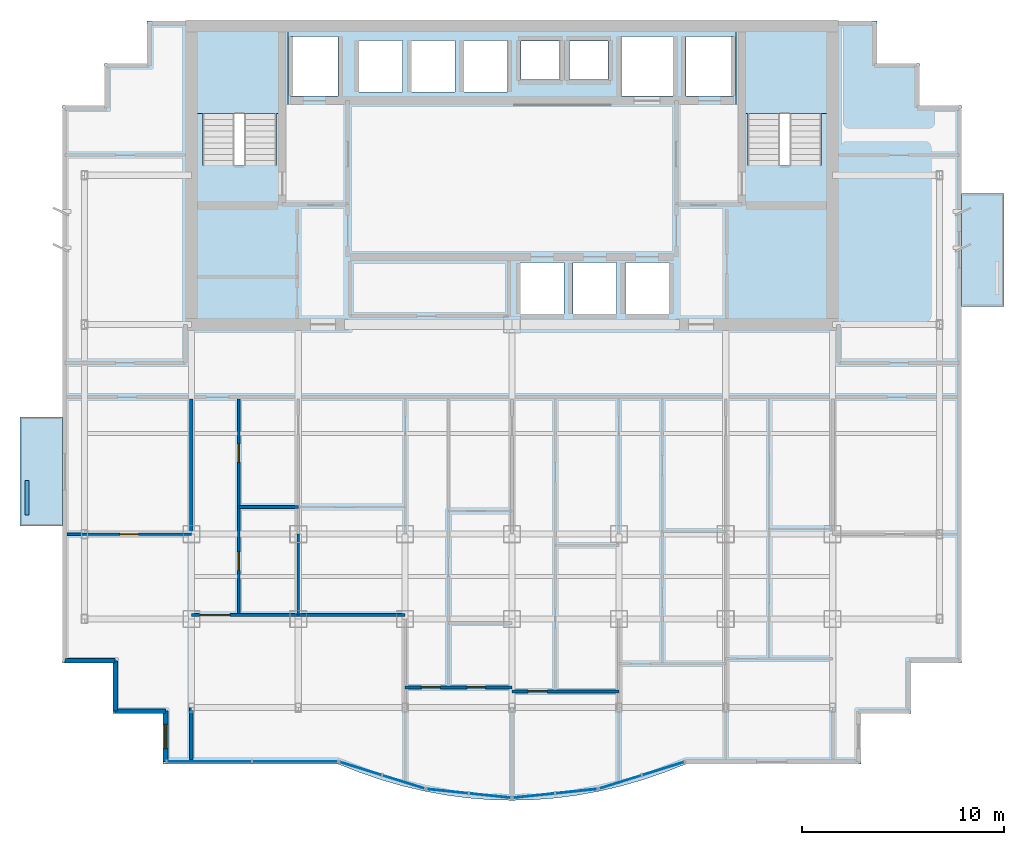
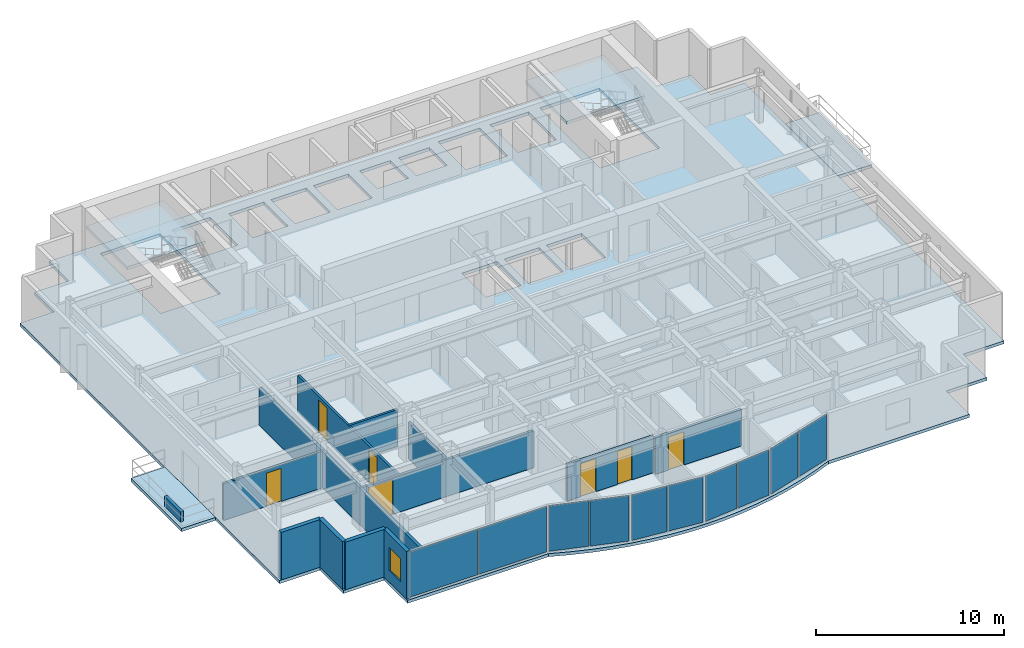
# One storey, part 5 of 11: 13 walls, 10 plates, 7 doors, 5 slabs, 1 window, 8 openings, 7 elements without a shape of their own.
"""IFC4 building model written with IfcOpenShell, lengths in metres."""

from ifc_helpers import new_model, si_unit, direction, frame, frame_2d, origin, origin_2d, place, context, subcontext, project, spatial, polyline, rectangle, outline, extrude, source, transform, mapped, material, layer, layer_set, type_object, element, fill, aggregate, save


model = new_model("IFC4")

# Units and contexts
model_context = context("Model", 3, precision=1e-05, world=origin(), true_north=direction((0.0, 1.0)))
body_context = subcontext(model_context, "Body", "Model", "MODEL_VIEW")
ifc_project = project(units=[si_unit("LENGTHUNIT", "METRE"), si_unit("AREAUNIT", "SQUARE_METRE"), si_unit("VOLUMEUNIT", "CUBIC_METRE"), si_unit("PLANEANGLEUNIT", "RADIAN"), si_unit("MASSUNIT", "GRAM", prefix="KILO")], contexts=[model_context])

# Site, building, storey
site_placement = place(None, origin())
site = spatial("IfcSite", under=ifc_project, at=site_placement, CompositionType="ELEMENT")
building_placement = place(site_placement, origin())
building = spatial("IfcBuilding", under=site, at=building_placement, Name="Qianlan Lanfeng Residences", CompositionType="ELEMENT")
storey_placement = place(building_placement, frame((0.0, 0.0, 175.5)))
storey = spatial("IfcBuildingStorey", under=building, at=storey_placement, Name="L48", CompositionType="ELEMENT", Elevation=175.5)

# Slabs
ifc_material_1 = material(Name="Concrete C42", Category="concrete")
ifc_layer_1 = layer(ifc_material_1, 0.199951171875)
ifc_layer_set_1 = layer_set([ifc_layer_1], Name="Concrete C42")
slab_type_1 = type_object("IfcSlabType", Name="S-BAL-200", PredefinedType="FLOOR", material=ifc_layer_set_1)
slab_1_placement = place(storey_placement, frame((0.0, 0.0, -0.199951171875)))
element("IfcSlab", 1, at=slab_1_placement, inside=storey, type_object=slab_type_1, Name="L48 Planted Tree Balcony Slab WB-S", PredefinedType="FLOOR", context=body_context, shape_type="SweptSolid", body=[
    extrude(outline(polyline([(4.199951171875, 15.199951171875), (4.199951171875, 20.60009765625), (2.10009765625, 20.60009765625), (2.10009765625, 15.199951171875), (4.199951171875, 15.199951171875)])), origin(), (0.0, 0.0, 1.0), 0.199951171875),
])
slab_2_placement = place(storey_placement, frame((0.0, 0.0, -0.199951171875)))
element("IfcSlab", 2, at=slab_2_placement, inside=storey, type_object=slab_type_1, Name="L48 Planted Tree Balcony Slab EB-N", PredefinedType="FLOOR", context=body_context, shape_type="SweptSolid", body=[
    extrude(outline(polyline([(48.800048828125, 31.699951171875), (48.800048828125, 26.10009765625), (50.89990234375, 26.10009765625), (50.89990234375, 31.699951171875), (48.800048828125, 31.699951171875)])), origin(), (0.0, 0.0, 1.0), 0.199951171875),
])
ifc_layer_2 = layer(ifc_material_1, 0.199951171875)
ifc_layer_set_2 = layer_set([ifc_layer_2], Name="Concrete C42")
slab_type_2 = type_object("IfcSlabType", Name="S-FL-200", PredefinedType="FLOOR", material=ifc_layer_set_2)
slab_3_placement = place(storey_placement, frame((0.0, 0.0, -0.199951171875)))
element("IfcSlab", 3, at=slab_3_placement, inside=storey, type_object=slab_type_2, Name="L48 Structural Floor Slab", PredefinedType="FLOOR", context=body_context, shape_type="SweptSolid", body=[
    extrude(outline(polyline([(4.199951171875, 8.39990234375), (6.699951171875, 8.39990234375), (6.699951171875, 5.89990234375), (9.199951171875, 5.89990234375), (9.199951171875, 3.39990234375), (17.8798828125, 3.39990234375), (18.95703125, 2.97802734375), (20.034912109375, 2.612060546875), (21.112060546875, 2.302978515625), (22.18994140625, 2.050048828125), (23.26708984375, 1.85302734375), (24.344970703125, 1.712890625), (25.422119140625, 1.6279296875), (26.5, 1.60009765625), (27.577880859375, 1.6279296875), (28.655029296875, 1.7119140625), (29.73193359375, 1.85302734375), (30.81005859375, 2.050048828125), (31.886962890625, 2.302978515625), (32.965087890625, 2.612060546875), (34.0419921875, 2.97802734375), (35.1201171875, 3.39990234375), (43.800048828125, 3.39990234375), (43.800048828125, 5.89990234375), (46.300048828125, 5.89990234375), (46.300048828125, 8.39990234375), (48.800048828125, 8.39990234375), (48.800048828125, 36.050048828125), (46.699951171875, 36.050048828125), (46.699951171875, 38.14990234375), (44.60009765625, 38.14990234375), (44.60009765625, 40.25), (8.39990234375, 40.25), (8.39990234375, 38.14990234375), (6.300048828125, 38.14990234375), (6.300048828125, 36.050048828125), (4.199951171875, 36.050048828125), (4.199951171875, 8.39990234375)]), holes=[polyline([(11.139892578125, 33.080078125), (11.139892578125, 39.5), (14.820068359375, 39.5), (14.820068359375, 33.080078125), (11.139892578125, 33.080078125)]), polyline([(38.179931640625, 33.080078125), (38.179931640625, 39.5), (41.860107421875, 39.5), (41.860107421875, 33.080078125), (38.179931640625, 33.080078125)]), polyline([(15.52001953125, 36.52001953125), (15.52001953125, 39.47998046875), (17.8798828125, 39.47998046875), (17.8798828125, 36.52001953125), (15.52001953125, 36.52001953125)]), polyline([(35.1201171875, 36.52001953125), (35.1201171875, 39.47998046875), (37.47998046875, 39.47998046875), (37.47998046875, 36.52001953125), (35.1201171875, 36.52001953125)]), polyline([(31.919921875, 36.52001953125), (31.919921875, 39.47998046875), (34.47998046875, 39.47998046875), (34.47998046875, 36.52001953125), (31.919921875, 36.52001953125)]), polyline([(26.919921875, 25.719970703125), (26.919921875, 28.280029296875), (29.080078125, 28.280029296875), (29.080078125, 25.719970703125), (26.919921875, 25.719970703125)]), polyline([(29.52001953125, 25.719970703125), (29.52001953125, 28.280029296875), (31.679931640625, 28.280029296875), (31.679931640625, 25.719970703125), (29.52001953125, 25.719970703125)]), polyline([(32.1201171875, 25.719970703125), (32.1201171875, 28.280029296875), (34.280029296875, 28.280029296875), (34.280029296875, 25.719970703125), (32.1201171875, 25.719970703125)]), polyline([(18.919921875, 36.719970703125), (18.919921875, 39.280029296875), (21.080078125, 39.280029296875), (21.080078125, 36.719970703125), (18.919921875, 36.719970703125)]), polyline([(21.52001953125, 36.719970703125), (21.52001953125, 39.280029296875), (23.679931640625, 39.280029296875), (23.679931640625, 36.719970703125), (21.52001953125, 36.719970703125)]), polyline([(24.1201171875, 36.719970703125), (24.1201171875, 39.280029296875), (26.280029296875, 39.280029296875), (26.280029296875, 36.719970703125), (24.1201171875, 36.719970703125)]), polyline([(26.949951171875, 37.35009765625), (26.949951171875, 39.25), (28.85009765625, 39.25), (28.85009765625, 37.35009765625), (26.949951171875, 37.35009765625)]), polyline([(29.35009765625, 37.35009765625), (29.35009765625, 39.25), (31.25, 39.25), (31.25, 37.35009765625), (29.35009765625, 37.35009765625)])]), origin(), (0.0, 0.0, 1.0), 0.199951171875),
])

# Stair, slab
stair_type = type_object("IfcStairType", Name="STR-MAIN", PredefinedType="HALF_TURN_STAIR", material=ifc_material_1)
stair_1_placement = place(storey_placement, origin())
stair_1 = element("IfcStair", 4, at=stair_1_placement, inside=storey, type_object=stair_type, Name="L48 Exit Stair ST-1", PredefinedType="HALF_TURN_STAIR")
ifc_layer_3 = layer(ifc_material_1, 0.179931640625)
ifc_layer_set_3 = layer_set([ifc_layer_3], Name="Concrete C42")
slab_type_3 = type_object("IfcSlabType", Name="S-LND-180", PredefinedType="LANDING", material=ifc_layer_set_3)
slab_4_placement = place(storey_placement, frame((0.0, 0.0, 1.449951171875)))
slab_4 = element("IfcSlab", 5, at=slab_4_placement, type_object=slab_type_3, Name="ST-1 landing 1", PredefinedType="LANDING", context=body_context, shape_type="SweptSolid", body=[
    extrude(outline(polyline([(10.580078125, 35.659912109375), (15.3798828125, 35.659912109375), (15.3798828125, 40.050048828125), (10.580078125, 40.050048828125), (10.580078125, 35.659912109375)])), origin(), (0.0, 0.0, 1.0), 0.199951171875),
])
aggregate(stair_1, [slab_4])

stair_2_placement = place(storey_placement, origin())
stair_2 = element("IfcStair", 6, at=stair_2_placement, inside=storey, type_object=stair_type, Name="L48 Exit Stair ST-2", PredefinedType="HALF_TURN_STAIR")
slab_5_placement = place(storey_placement, frame((0.0, 0.0, 1.449951171875)))
slab_5 = element("IfcSlab", 7, at=slab_5_placement, type_object=slab_type_3, Name="ST-2 landing 1", PredefinedType="LANDING", context=body_context, shape_type="SweptSolid", body=[
    extrude(outline(polyline([(37.6201171875, 35.659912109375), (42.419921875, 35.659912109375), (42.419921875, 40.050048828125), (37.6201171875, 40.050048828125), (37.6201171875, 35.659912109375)])), origin(), (0.0, 0.0, 1.0), 0.199951171875),
])
aggregate(stair_2, [slab_5])

# Curtain wall, plates
ifc_material_2 = material(Name="Anodised Bronze Aluminium 6063-T6", Category="aluminium")
ifc_layer_4 = layer(ifc_material_2, 0.219970703125)
ifc_layer_set_4 = layer_set([ifc_layer_4], Name="Anodised Bronze Aluminium 6063-T6")
curtain_wall_type = type_object("IfcCurtainWallType", Name="CW-04", PredefinedType="NOTDEFINED", material=ifc_layer_set_4)
curtain_wall_1_placement = place(storey_placement, origin())
curtain_wall_1 = element("IfcCurtainWall", 8, at=curtain_wall_1_placement, inside=storey, type_object=curtain_wall_type, Name="L48 Unitised Curtain Wall CWR-L48-01 (CW-04)", PredefinedType="NOTDEFINED")
ifc_material_3 = material(Name="Clear Low-E Insulated Glass", Category="glass")
ifc_layer_5 = layer(ifc_material_3, 0.035888671875)
ifc_layer_set_5 = layer_set([ifc_layer_5], Name="Clear Low-E Insulated Glass")
plate_type_1 = type_object("IfcPlateType", Name="PNL-GLZ-CLR", PredefinedType="CURTAIN_PANEL", material=ifc_layer_set_5)
shared_shape_1 = source(origin(), body_context, "Body", "SweptSolid", [
    extrude(rectangle(XDim=4.180908203125, YDim=0.035888671875, at=origin_2d()), origin(), (0.0, 0.0, 1.0), 2.951904296875),
])
plate_1_placement = place(storey_placement, frame((11.484619140625, 3.52001953125, 0.07421875), z_axis=(0.0, 0.0, 1.0), x_axis=(1.0, 0.0, 0.0)))
plate_1 = element("IfcPlate", 9, at=plate_1_placement, type_object=plate_type_1, Name="CWR-L48-01 Curtain Panel 1", PredefinedType="CURTAIN_PANEL", context=body_context, shape_type="MappedRepresentation", body=[
    mapped(shared_shape_1, transform((0.0, 0.0, 0.0), scale=1.0)),
])
plate_2_placement = place(storey_placement, frame((15.738525390625, 3.52001953125, 0.07421875), z_axis=(0.0, 0.0, 1.0), x_axis=(1.0, 0.0, 0.0)))
plate_2 = element("IfcPlate", 10, at=plate_2_placement, type_object=plate_type_1, Name="CWR-L48-01 Curtain Panel 2", PredefinedType="CURTAIN_PANEL", context=body_context, shape_type="MappedRepresentation", body=[
    mapped(shared_shape_1, transform((0.0, 0.0, 0.0), scale=1.0)),
])
aggregate(curtain_wall_1, [plate_1, plate_2])

curtain_wall_2_placement = place(storey_placement, origin())
curtain_wall_2 = element("IfcCurtainWall", 11, at=curtain_wall_2_placement, inside=storey, type_object=curtain_wall_type, Name="L48 Unitised Curtain Wall CWR-L48-03 (CW-04)", PredefinedType="NOTDEFINED")
shared_shape_2 = source(origin(), body_context, "Body", "SweptSolid", [
    extrude(rectangle(XDim=2.043701171875, YDim=0.035888671875, at=origin_2d()), origin(), (0.0, 0.0, 1.0), 2.951904296875),
])
plate_3_placement = place(storey_placement, frame((23.304931640625, 2.053955078125, 0.07421875), z_axis=(0.0, 0.0, 1.0), x_axis=(0.994579031105, -0.103983416397, 0.0)))
plate_3 = element("IfcPlate", 12, at=plate_3_placement, type_object=plate_type_1, Name="CWR-L48-03 Curtain Panel 1", PredefinedType="CURTAIN_PANEL", context=body_context, shape_type="MappedRepresentation", body=[
    mapped(shared_shape_2, transform((0.0, 0.0, 0.0), scale=1.0)),
])
plate_4_placement = place(storey_placement, frame((25.41015625, 1.833984375, 0.07421875), z_axis=(0.0, 0.0, 1.0), x_axis=(0.994579031105, -0.103983416397, 0.0)))
plate_4 = element("IfcPlate", 13, at=plate_4_placement, type_object=plate_type_1, Name="CWR-L48-03 Curtain Panel 2", PredefinedType="CURTAIN_PANEL", context=body_context, shape_type="MappedRepresentation", body=[
    mapped(shared_shape_2, transform((0.0, 0.0, 0.0), scale=1.0)),
])
aggregate(curtain_wall_2, [plate_3, plate_4])

# Curtain wall, plate
curtain_wall_3_placement = place(storey_placement, origin())
curtain_wall_3 = element("IfcCurtainWall", 14, at=curtain_wall_3_placement, inside=storey, type_object=curtain_wall_type, Name="L48 Unitised Curtain Wall CWR-L48-04 (CW-04)", PredefinedType="NOTDEFINED")
plate_5_placement = place(storey_placement, frame((27.58984375, 1.833984375, 0.07421875), z_axis=(0.0, 0.0, 1.0), x_axis=(0.994579031105, 0.103983416397, 0.0)))
plate_5 = element("IfcPlate", 15, at=plate_5_placement, type_object=plate_type_1, Name="CWR-L48-04 Curtain Panel 1", PredefinedType="CURTAIN_PANEL", context=body_context, shape_type="MappedRepresentation", body=[
    mapped(shared_shape_2, transform((0.0, 0.0, 0.0), scale=1.0)),
])

curtain_wall_4_placement = place(storey_placement, origin())
curtain_wall_4 = element("IfcCurtainWall", 16, at=curtain_wall_4_placement, inside=storey, type_object=curtain_wall_type, Name="L48 Unitised Curtain Wall CWR-L48-02 (CW-04)", PredefinedType="NOTDEFINED")
shared_shape_3 = source(origin(), body_context, "Body", "SweptSolid", [
    extrude(rectangle(XDim=2.14892578125, YDim=0.035888671875, at=origin_2d()), origin(), (0.0, 0.0, 1.0), 2.951904296875),
])
plate_6_placement = place(storey_placement, frame((18.998779296875, 3.176513671875, 0.07421875), z_axis=(0.0, 0.0, 1.0), x_axis=(0.954195954421, -0.299182353367, 0.0)))
plate_6 = element("IfcPlate", 17, at=plate_6_placement, type_object=plate_type_1, Name="CWR-L48-02 Curtain Panel 1", PredefinedType="CURTAIN_PANEL", context=body_context, shape_type="MappedRepresentation", body=[
    mapped(shared_shape_3, transform((0.0, 0.0, 0.0), scale=1.0)),
])

# Curtain wall, plates
curtain_wall_5_placement = place(storey_placement, origin())
curtain_wall_5 = element("IfcCurtainWall", 18, at=curtain_wall_5_placement, inside=storey, type_object=curtain_wall_type, Name="L48 Unitised Curtain Wall CWR-L48-05 (CW-04)", PredefinedType="NOTDEFINED")
plate_7_placement = place(storey_placement, frame((31.880859375, 2.51171875, 0.07421875), z_axis=(0.0, 0.0, 1.0), x_axis=(0.954195954421, 0.299182353367, 0.0)))
plate_7 = element("IfcPlate", 19, at=plate_7_placement, type_object=plate_type_1, Name="CWR-L48-05 Curtain Panel 1", PredefinedType="CURTAIN_PANEL", context=body_context, shape_type="MappedRepresentation", body=[
    mapped(shared_shape_3, transform((0.0, 0.0, 0.0), scale=1.0)),
])
plate_8_placement = place(storey_placement, frame((34.001220703125, 3.176513671875, 0.07421875), z_axis=(0.0, 0.0, 1.0), x_axis=(0.954195954421, 0.299182353367, 0.0)))
plate_8 = element("IfcPlate", 20, at=plate_8_placement, type_object=plate_type_1, Name="CWR-L48-05 Curtain Panel 2", PredefinedType="CURTAIN_PANEL", context=body_context, shape_type="MappedRepresentation", body=[
    mapped(shared_shape_3, transform((0.0, 0.0, 0.0), scale=1.0)),
])
aggregate(curtain_wall_5, [plate_7, plate_8])

# Plate
ifc_material_4 = material(Name="Perforated Champagne Gold Aluminium Panel", Category="aluminium")
ifc_layer_6 = layer(ifc_material_4, 0.0400390625)
ifc_layer_set_6 = layer_set([ifc_layer_6], Name="Perforated Champagne Gold Aluminium Panel")
plate_type_2 = type_object("IfcPlateType", Name="PNL-PRF-GLD", PredefinedType="CURTAIN_PANEL", material=ifc_layer_set_6)
shared_shape_4 = source(origin(), body_context, "Body", "SweptSolid", [
    extrude(rectangle(XDim=2.14892578125, YDim=0.0400390625, at=origin_2d()), origin(), (0.0, 0.0, 1.0), 2.951904296875),
])
plate_9_placement = place(storey_placement, frame((21.119140625, 2.51171875, 0.07421875), z_axis=(0.0, 0.0, 1.0), x_axis=(0.954195954421, -0.299182353367, 0.0)))
plate_9 = element("IfcPlate", 21, at=plate_9_placement, type_object=plate_type_2, Name="CWR-L48-02 Curtain Panel 2", PredefinedType="CURTAIN_PANEL", context=body_context, shape_type="MappedRepresentation", body=[
    mapped(shared_shape_4, transform((0.0, 0.0, 0.0), scale=1.0)),
])

aggregate(curtain_wall_4, [plate_6, plate_9])

shared_shape_5 = source(origin(), body_context, "Body", "SweptSolid", [
    extrude(rectangle(XDim=2.043701171875, YDim=0.0400390625, at=origin_2d()), origin(), (0.0, 0.0, 1.0), 2.951904296875),
])
plate_10_placement = place(storey_placement, frame((29.695068359375, 2.05419921875, 0.07421875), z_axis=(0.0, 0.0, 1.0), x_axis=(0.994579031105, 0.103983416397, 0.0)))
plate_10 = element("IfcPlate", 22, at=plate_10_placement, type_object=plate_type_2, Name="CWR-L48-04 Curtain Panel 2", PredefinedType="CURTAIN_PANEL", context=body_context, shape_type="MappedRepresentation", body=[
    mapped(shared_shape_5, transform((0.0, 0.0, 0.0), scale=1.0)),
])

aggregate(curtain_wall_3, [plate_5, plate_10])

# Walls
ifc_layer_7 = layer(ifc_material_1, 0.239990234375)
ifc_layer_set_7 = layer_set([ifc_layer_7], Name="Concrete C42")
wall_type_1 = type_object("IfcWallType", Name="EW-240", PredefinedType="SOLIDWALL", material=ifc_layer_set_7)
for number, where, z_axis, x_axis, name in (
    (23, (4.320068359375, 8.52001953125, 0.0), (0.0, 0.0, 1.0), (1.0, 0.0, 0.0), "L48 Exterior Facade Spandrel Wall 1"),
    (24, (6.820068359375, 8.52001953125, 0.0), (0.0, 0.0, 1.0), (0.0, -1.0, 0.0), "L48 Exterior Facade Spandrel Wall 2"),
    (25, (6.820068359375, 6.02001953125, 0.0), (0.0, 0.0, 1.0), (1.0, 0.0, 0.0), "L48 Exterior Facade Spandrel Wall 3"),
):
    element("IfcWall", number, at=place(storey_placement, frame(where, z_axis=z_axis, x_axis=x_axis)), inside=storey, type_object=wall_type_1, Name=name, PredefinedType="SOLIDWALL", context=body_context, shape_type="SweptSolid", body=[
        extrude(rectangle(XDim=2.5, YDim=0.239990234375, at=frame_2d((1.25, 0.0))), origin(), (0.0, 0.0, 1.0), 3.10009765625),
    ])

# Wall, opening, window
wall_1_placement = place(storey_placement, frame((9.320068359375, 6.02001953125, 0.0), z_axis=(0.0, 0.0, 1.0), x_axis=(0.0, -1.0, 0.0)))
wall_1 = element("IfcWall", 26, at=wall_1_placement, inside=storey, type_object=wall_type_1, Name="L48 Exterior Facade Spandrel Wall 4", PredefinedType="SOLIDWALL", context=body_context, shape_type="SweptSolid", body=[
    extrude(rectangle(XDim=2.5, YDim=0.239990234375, at=frame_2d((1.25, 0.0))), origin(), (0.0, 0.0, 1.0), 3.10009765625),
])
opening_1_placement = place(wall_1_placement, frame((0.64990234375, 0.0, 0.75)))
opening_1 = element("IfcOpeningElement", 27, at=opening_1_placement, cuts=wall_1, Name="Opening W-03", PredefinedType="OPENING", context=body_context, shape_type="SweptSolid", body=[
    extrude(rectangle(XDim=1.199951171875, YDim=1.5, at=frame_2d((0.60009765625, 0.75))), frame((0.0, 0.1298828125, 0.0), z_axis=(0.0, -1.0, 0.0), x_axis=(1.0, 0.0, 0.0)), (0.0, 0.0, 1.0), 0.260009765625),
])
ifc_material_5 = material(Name="Anodised Bronze Aluminium Framed Double Glazing", Category="aluminium")
window_type = type_object("IfcWindowType", Name="W-03", PartitioningType="SINGLE_PANEL", PredefinedType="WINDOW", material=ifc_material_5)
window_placement = place(opening_1_placement, origin())
window = element("IfcWindow", 28, at=window_placement, inside=storey, type_object=window_type, Name="L48 Facade Punched Window W-03", OverallHeight=1.5, OverallWidth=1.199951171875, PartitioningType="SINGLE_PANEL", PredefinedType="WINDOW", context=body_context, shape_type="SweptSolid", body=[
    extrude(rectangle(XDim=1.199951171875, YDim=1.5, at=frame_2d((0.60009765625, 0.75))), frame((0.0, 0.030029296875, 0.0), z_axis=(0.0, -1.0, 0.0), x_axis=(1.0, 0.0, 0.0)), (0.0, 0.0, 1.0), 0.06005859375),
])
fill(opening_1, window)

# Walls
ifc_layer_8 = layer(ifc_material_1, 0.199951171875)
ifc_layer_set_8 = layer_set([ifc_layer_8], Name="Concrete C42")
wall_type_2 = type_object("IfcWallType", Name="PL-TREE-200", PredefinedType="PARAPET", material=ifc_layer_set_8)
wall_2_placement = place(storey_placement, frame((2.449951171875, 15.75, 0.0), z_axis=(0.0, 0.0, 1.0), x_axis=(0.0, 1.0, 0.0)))
element("IfcWall", 29, at=wall_2_placement, inside=storey, type_object=wall_type_2, Name="L48 West Tree Planter Curb WB-S", PredefinedType="PARAPET", context=body_context, shape_type="SweptSolid", body=[
    extrude(rectangle(XDim=1.699951171875, YDim=0.199951171875, at=frame_2d((0.85009765625, 0.0))), origin(), (0.0, 0.0, 1.0), 0.64990234375),
])
ifc_material_6 = material(Name="Moisture-Resistant Gypsum Partition 135 mm")
ifc_layer_9 = layer(ifc_material_6, 0.135009765625)
ifc_layer_set_9 = layer_set([ifc_layer_9], Name="Moisture-Resistant Gypsum Partition 135 mm")
wall_type_3 = type_object("IfcWallType", Name="PW-135", PredefinedType="PARTITIONING", material=ifc_layer_set_9)
wall_3_placement = place(storey_placement, frame((15.89990234375, 10.7900390625, 0.0), z_axis=(0.0, 0.0, 1.0), x_axis=(0.0, 1.0, 0.0)))
element("IfcWall", 30, at=wall_3_placement, inside=storey, type_object=wall_type_3, Name="L48 U01 Mid Column Wall", PredefinedType="PARTITIONING", context=body_context, shape_type="SweptSolid", body=[
    extrude(rectangle(XDim=4.010009765625, YDim=0.135009765625, at=frame_2d((2.0048828125, 0.0))), origin(), (0.0, 0.0, 1.0), 2.3798828125),
])

# Wall, opening, door
wall_4_placement = place(storey_placement, frame((10.60009765625, 10.7900390625, 0.0), z_axis=(0.0, 0.0, 1.0), x_axis=(1.0, 0.0, 0.0)))
wall_4 = element("IfcWall", 31, at=wall_4_placement, inside=storey, type_object=wall_type_3, Name="L48 U01 Grand Living North Wall", PredefinedType="PARTITIONING", context=body_context, shape_type="SweptSolid", body=[
    extrude(rectangle(XDim=10.599853515625, YDim=0.135009765625, at=frame_2d((5.2998046875, 0.0))), origin(), (0.0, 0.0, 1.0), 2.3798828125),
])
opening_2_placement = place(wall_4_placement, frame((0.425048828125, 0.0, 0.0)))
opening_2 = element("IfcOpeningElement", 32, at=opening_2_placement, cuts=wall_4, Name="Opening L48-D21", PredefinedType="OPENING", context=body_context, shape_type="SweptSolid", body=[
    extrude(rectangle(XDim=1.5, YDim=2.25, at=frame_2d((0.75, 1.125))), frame((0.0, 0.07763671875, 0.0), z_axis=(0.0, -1.0, 0.0), x_axis=(1.0, 0.0, 0.0)), (0.0, 0.0, 1.0), 0.155029296875),
])
ifc_material_7 = material(Name="Timber Veneer Acoustic Fire Door", Category="wood")
door_type_1 = type_object("IfcDoorType", Name="DT-COR1", OperationType="NOTDEFINED", PredefinedType="DOOR", material=ifc_material_7)
door_1_placement = place(opening_2_placement, origin())
door_1 = element("IfcDoor", 33, at=door_1_placement, inside=storey, type_object=door_type_1, Name="L48 U01 Grand Living Door L48-D21 (DT-COR1)", OperationType="DOUBLE_DOOR_SINGLE_SWING", OverallHeight=2.25, OverallWidth=1.5, PredefinedType="DOOR", context=body_context, shape_type="SweptSolid", body=[
    extrude(rectangle(XDim=1.5, YDim=2.25, at=frame_2d((0.75, 1.125))), frame((0.0, 0.02490234375, 0.0), z_axis=(0.0, -1.0, 0.0), x_axis=(1.0, 0.0, 0.0)), (0.0, 0.0, 1.0), 0.050048828125),
])
fill(opening_2, door_1)

# Wall, openings, doors
wall_5_placement = place(storey_placement, frame((12.949951171875, 10.7900390625, 0.0), z_axis=(0.0, 0.0, 1.0), x_axis=(0.0, 1.0, 0.0)))
wall_5 = element("IfcWall", 34, at=wall_5_placement, inside=storey, type_object=wall_type_3, Name="L48 U01 Kitchen/Bath Wall", PredefinedType="PARTITIONING", context=body_context, shape_type="SweptSolid", body=[
    extrude(rectangle(XDim=10.7099609375, YDim=0.135009765625, at=frame_2d((5.35498046875, 0.0))), origin(), (0.0, 0.0, 1.0), 2.3798828125),
])
opening_3_placement = place(wall_5_placement, frame((2.218017578125, 0.0, 0.0)))
opening_3 = element("IfcOpeningElement", 35, at=opening_3_placement, cuts=wall_5, Name="Opening L48-D22", PredefinedType="OPENING", context=body_context, shape_type="SweptSolid", body=[
    extrude(rectangle(XDim=0.919921875, YDim=2.14990234375, at=frame_2d((0.4599609375, 1.074951171875))), frame((0.0, 0.07763671875, 0.0), z_axis=(0.0, -1.0, 0.0), x_axis=(1.0, 0.0, 0.0)), (0.0, 0.0, 1.0), 0.155029296875),
])
opening_4_placement = place(wall_5_placement, frame((7.5830078125, 0.0, 0.0)))
opening_4 = element("IfcOpeningElement", 36, at=opening_4_placement, cuts=wall_5, Name="Opening L48-D23", PredefinedType="OPENING", context=body_context, shape_type="SweptSolid", body=[
    extrude(rectangle(XDim=0.89990234375, YDim=2.14990234375, at=frame_2d((0.449951171875, 1.074951171875))), frame((0.0, 0.07763671875, 0.0), z_axis=(0.0, -1.0, 0.0), x_axis=(1.0, 0.0, 0.0)), (0.0, 0.0, 1.0), 0.155029296875),
])
ifc_material_8 = material(Name="Glazed Timber Kitchen/Study Door", Category="wood")
door_type_2 = type_object("IfcDoorType", Name="DT-INT", OperationType="NOTDEFINED", PredefinedType="DOOR", material=ifc_material_8)
door_2_placement = place(opening_3_placement, origin())
door_2 = element("IfcDoor", 37, at=door_2_placement, inside=storey, type_object=door_type_2, Name="L48 U01 Kitchen Door L48-D22 (DT-INT)", OperationType="SINGLE_SWING_LEFT", OverallHeight=2.14990234375, OverallWidth=0.919921875, PredefinedType="DOOR", context=body_context, shape_type="SweptSolid", body=[
    extrude(rectangle(XDim=0.919921875, YDim=2.14990234375, at=frame_2d((0.4599609375, 1.074951171875))), frame((0.0, 0.02490234375, 0.0), z_axis=(0.0, -1.0, 0.0), x_axis=(1.0, 0.0, 0.0)), (0.0, 0.0, 1.0), 0.050048828125),
])
fill(opening_3, door_2)
ifc_material_9 = material(Name="Moisture-Resistant Timber Leaf", Category="wood")
door_type_3 = type_object("IfcDoorType", Name="DT-WC", OperationType="NOTDEFINED", PredefinedType="DOOR", material=ifc_material_9)
door_3_placement = place(opening_4_placement, origin())
door_3 = element("IfcDoor", 38, at=door_3_placement, inside=storey, type_object=door_type_3, Name="L48 U01 Bathroom Door L48-D23 (DT-WC)", OperationType="SINGLE_SWING_RIGHT", OverallHeight=2.14990234375, OverallWidth=0.89990234375, PredefinedType="DOOR", context=body_context, shape_type="SweptSolid", body=[
    extrude(rectangle(XDim=0.89990234375, YDim=2.14990234375, at=frame_2d((0.449951171875, 1.074951171875))), frame((0.0, 0.02490234375, 0.0), z_axis=(0.0, -1.0, 0.0), x_axis=(1.0, 0.0, 0.0)), (0.0, 0.0, 1.0), 0.050048828125),
])
fill(opening_4, door_3)

# Wall
wall_6_placement = place(storey_placement, frame((12.949951171875, 16.14501953125, 0.0), z_axis=(0.0, 0.0, 1.0), x_axis=(1.0, 0.0, 0.0)))
element("IfcWall", 39, at=wall_6_placement, inside=storey, type_object=wall_type_3, Name="L48 U01 Bath Split Wall", PredefinedType="PARTITIONING", context=body_context, shape_type="SweptSolid", body=[
    extrude(rectangle(XDim=2.949951171875, YDim=0.135009765625, at=frame_2d((1.47509765625, 0.0))), origin(), (0.0, 0.0, 1.0), 2.3798828125),
])

# Wall, openings, doors
wall_7_placement = place(storey_placement, frame((21.199951171875, 7.198974609375, 0.0), z_axis=(0.0, 0.0, 1.0), x_axis=(1.0, 0.0, 0.0)))
wall_7 = element("IfcWall", 40, at=wall_7_placement, inside=storey, type_object=wall_type_3, Name="L48 U01 Master Bedroom North Wall", PredefinedType="PARTITIONING", context=body_context, shape_type="SweptSolid", body=[
    extrude(rectangle(XDim=5.300048828125, YDim=0.135009765625, at=frame_2d((2.64990234375, 0.0))), origin(), (0.0, 0.0, 1.0), 2.3798828125),
])
opening_5_placement = place(wall_7_placement, frame((0.800048828125, 0.0, 0.0)))
opening_5 = element("IfcOpeningElement", 41, at=opening_5_placement, cuts=wall_7, Name="Opening L48-D25", PredefinedType="OPENING", context=body_context, shape_type="SweptSolid", body=[
    extrude(rectangle(XDim=0.949951171875, YDim=2.14990234375, at=frame_2d((0.47509765625, 1.074951171875))), frame((0.0, 0.07763671875, 0.0), z_axis=(0.0, -1.0, 0.0), x_axis=(1.0, 0.0, 0.0)), (0.0, 0.0, 1.0), 0.155029296875),
])
opening_6_placement = place(wall_7_placement, frame((3.074951171875, 0.0, 0.0)))
opening_6 = element("IfcOpeningElement", 42, at=opening_6_placement, cuts=wall_7, Name="Opening L48-D26", PredefinedType="OPENING", context=body_context, shape_type="SweptSolid", body=[
    extrude(rectangle(XDim=0.89990234375, YDim=2.14990234375, at=frame_2d((0.449951171875, 1.074951171875))), frame((0.0, 0.07763671875, 0.0), z_axis=(0.0, -1.0, 0.0), x_axis=(1.0, 0.0, 0.0)), (0.0, 0.0, 1.0), 0.155029296875),
])
ifc_material_10 = material(Name="Painted Solid-Core Timber Leaf", Category="wood")
door_type_4 = type_object("IfcDoorType", Name="DT-BED", OperationType="NOTDEFINED", PredefinedType="DOOR", material=ifc_material_10)
door_4_placement = place(opening_5_placement, origin())
door_4 = element("IfcDoor", 43, at=door_4_placement, inside=storey, type_object=door_type_4, Name="L48 U01 Master Bedroom Door L48-D25 (DT-BED)", OperationType="SINGLE_SWING_LEFT", OverallHeight=2.14990234375, OverallWidth=0.949951171875, PredefinedType="DOOR", context=body_context, shape_type="SweptSolid", body=[
    extrude(rectangle(XDim=0.949951171875, YDim=2.14990234375, at=frame_2d((0.47509765625, 1.074951171875))), frame((0.0, 0.02490234375, 0.0), z_axis=(0.0, -1.0, 0.0), x_axis=(1.0, 0.0, 0.0)), (0.0, 0.0, 1.0), 0.050048828125),
])
fill(opening_5, door_4)
door_5_placement = place(opening_6_placement, origin())
door_5 = element("IfcDoor", 44, at=door_5_placement, inside=storey, type_object=door_type_3, Name="L48 U01 En-Suite Bathroom Door L48-D26 (DT-WC)", OperationType="SINGLE_SWING_LEFT", OverallHeight=2.14990234375, OverallWidth=0.89990234375, PredefinedType="DOOR", context=body_context, shape_type="SweptSolid", body=[
    extrude(rectangle(XDim=0.89990234375, YDim=2.14990234375, at=frame_2d((0.449951171875, 1.074951171875))), frame((0.0, 0.02490234375, 0.0), z_axis=(0.0, -1.0, 0.0), x_axis=(1.0, 0.0, 0.0)), (0.0, 0.0, 1.0), 0.050048828125),
])
fill(opening_6, door_5)

# Wall, opening, door
wall_8_placement = place(storey_placement, frame((26.5, 6.9990234375, 0.0), z_axis=(0.0, 0.0, 1.0), x_axis=(1.0, 0.0, 0.0)))
wall_8 = element("IfcWall", 45, at=wall_8_placement, inside=storey, type_object=wall_type_3, Name="L48 U01 Bedroom 3 North Wall", PredefinedType="PARTITIONING", context=body_context, shape_type="SweptSolid", body=[
    extrude(rectangle(XDim=5.300048828125, YDim=0.135009765625, at=frame_2d((2.64990234375, 0.0))), origin(), (0.0, 0.0, 1.0), 2.3798828125),
])
opening_7_placement = place(wall_8_placement, frame((0.800048828125, 0.0, 0.0)))
opening_7 = element("IfcOpeningElement", 46, at=opening_7_placement, cuts=wall_8, Name="Opening L48-D29", PredefinedType="OPENING", context=body_context, shape_type="SweptSolid", body=[
    extrude(rectangle(XDim=0.949951171875, YDim=2.14990234375, at=frame_2d((0.47509765625, 1.074951171875))), frame((0.0, 0.07763671875, 0.0), z_axis=(0.0, -1.0, 0.0), x_axis=(1.0, 0.0, 0.0)), (0.0, 0.0, 1.0), 0.155029296875),
])
door_6_placement = place(opening_7_placement, origin())
door_6 = element("IfcDoor", 47, at=door_6_placement, inside=storey, type_object=door_type_4, Name="L48 U01 Bedroom 3 Door L48-D29 (DT-BED)", OperationType="SINGLE_SWING_LEFT", OverallHeight=2.14990234375, OverallWidth=0.949951171875, PredefinedType="DOOR", context=body_context, shape_type="SweptSolid", body=[
    extrude(rectangle(XDim=0.949951171875, YDim=2.14990234375, at=frame_2d((0.47509765625, 1.074951171875))), frame((0.0, 0.02490234375, 0.0), z_axis=(0.0, -1.0, 0.0), x_axis=(1.0, 0.0, 0.0)), (0.0, 0.0, 1.0), 0.050048828125),
])
fill(opening_7, door_6)

wall_9_placement = place(storey_placement, frame((4.419921875, 14.800048828125, 0.0), z_axis=(0.0, 0.0, 1.0), x_axis=(1.0, 0.0, 0.0)))
wall_9 = element("IfcWall", 48, at=wall_9_placement, inside=storey, type_object=wall_type_3, Name="L48 SWP Mid Partition", PredefinedType="PARTITIONING", context=body_context, shape_type="SweptSolid", body=[
    extrude(rectangle(XDim=6.18017578125, YDim=0.135009765625, at=frame_2d((3.090087890625, 0.0))), origin(), (0.0, 0.0, 1.0), 2.3798828125),
])
opening_8_placement = place(wall_9_placement, frame((2.6298828125, 0.0, 0.0)))
opening_8 = element("IfcOpeningElement", 49, at=opening_8_placement, cuts=wall_9, Name="Opening L48-D38", PredefinedType="OPENING", context=body_context, shape_type="SweptSolid", body=[
    extrude(rectangle(XDim=0.919921875, YDim=2.14990234375, at=frame_2d((0.4599609375, 1.074951171875))), frame((0.0, 0.07763671875, 0.0), z_axis=(0.0, -1.0, 0.0), x_axis=(1.0, 0.0, 0.0)), (0.0, 0.0, 1.0), 0.155029296875),
])
door_7_placement = place(opening_8_placement, origin())
door_7 = element("IfcDoor", 50, at=door_7_placement, inside=storey, type_object=door_type_2, Name="L48 SWP Inner Door L48-D38 (DT-INT)", OperationType="SINGLE_SWING_LEFT", OverallHeight=2.14990234375, OverallWidth=0.919921875, PredefinedType="DOOR", context=body_context, shape_type="SweptSolid", body=[
    extrude(rectangle(XDim=0.919921875, YDim=2.14990234375, at=frame_2d((0.4599609375, 1.074951171875))), frame((0.0, 0.02490234375, 0.0), z_axis=(0.0, -1.0, 0.0), x_axis=(1.0, 0.0, 0.0)), (0.0, 0.0, 1.0), 0.050048828125),
])
fill(opening_8, door_7)

# Wall
ifc_material_11 = material(Name="Double-Layer Acoustic Gypsum Stud Wall 180 mm")
ifc_layer_10 = layer(ifc_material_11, 0.179931640625)
ifc_layer_set_10 = layer_set([ifc_layer_10], Name="Double-Layer Acoustic Gypsum Stud Wall 180 mm")
wall_type_4 = type_object("IfcWallType", Name="PW-180", PredefinedType="PARTITIONING", material=ifc_layer_set_10)
wall_10_placement = place(storey_placement, frame((10.60009765625, 3.6201171875, 0.0), z_axis=(0.0, 0.0, 1.0), x_axis=(0.0, 1.0, 0.0)))
element("IfcWall", 51, at=wall_10_placement, inside=storey, type_object=wall_type_4, Name="L48 Wing Boundary Party Wall W0", PredefinedType="PARTITIONING", context=body_context, shape_type="SweptSolid", body=[
    extrude(rectangle(XDim=17.8798828125, YDim=0.179931640625, at=frame_2d((8.93994140625, 0.0))), origin(), (0.0, 0.0, 1.0), 2.3798828125),
])

save(model, "model.ifc")
